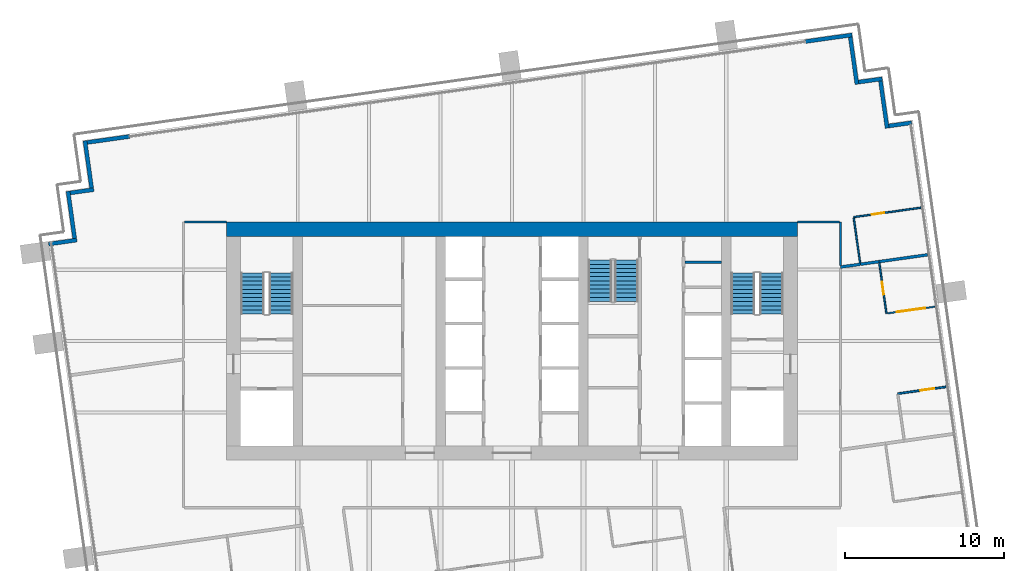
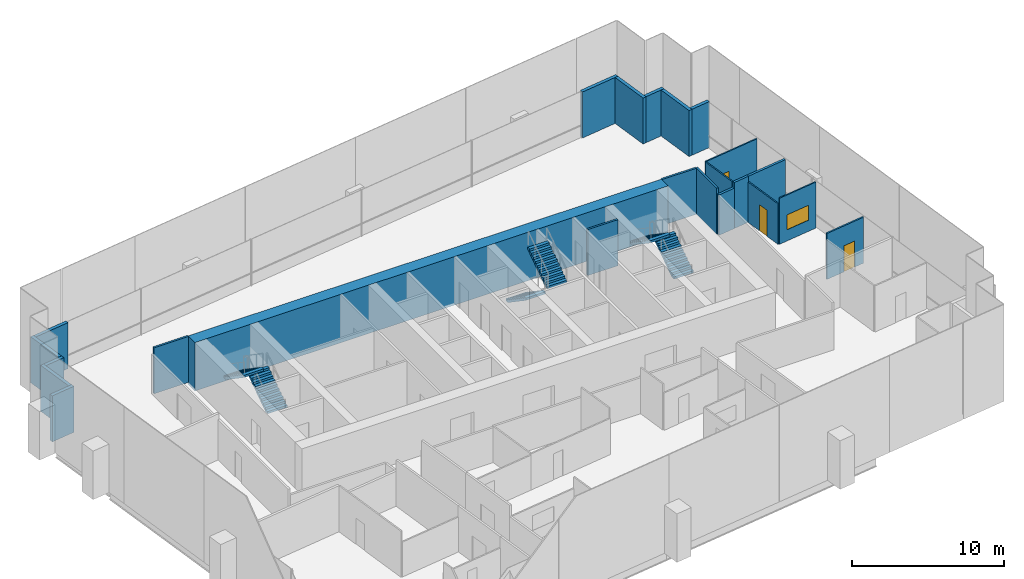
# One storey, part 12 of 17: 23 walls, 6 stair flights, 3 doors, 1 window, 4 openings, 3 elements without a shape of their own.
"""IFC4 building model written with IfcOpenShell, lengths in metres."""

from ifc_helpers import new_model, si_unit, direction, frame, frame_2d, origin, place, context, subcontext, project, spatial, polyline, rectangle, outline, extrude, material, layer, layer_set, type_object, element, fill, aggregate, save


model = new_model("IFC4")

# Units and contexts
model_context = context("Model", 3, precision=1e-05, world=origin(), true_north=direction((0.0, 1.0)))
body_context = subcontext(model_context, "Body", "Model", "MODEL_VIEW")
ifc_project = project(units=[si_unit("LENGTHUNIT", "METRE"), si_unit("AREAUNIT", "SQUARE_METRE"), si_unit("VOLUMEUNIT", "CUBIC_METRE"), si_unit("PLANEANGLEUNIT", "RADIAN"), si_unit("MASSUNIT", "GRAM", prefix="KILO")], contexts=[model_context])

# Site, building, storey
site_placement = place(None, origin())
site = spatial("IfcSite", under=ifc_project, at=site_placement, CompositionType="ELEMENT")
building_placement = place(site_placement, origin())
building = spatial("IfcBuilding", under=site, at=building_placement, Name="Rattan Terrace Tower", CompositionType="ELEMENT")
storey_placement = place(building_placement, frame((0.0, 0.0, 180.199951171875)))
storey = spatial("IfcBuildingStorey", under=building, at=storey_placement, Name="L41", CompositionType="ELEMENT", Elevation=180.199951171875)

# Walls
ifc_material_1 = material(Name="Gypsum board partition")
ifc_layer_1 = layer(ifc_material_1, 0.14990234375)
ifc_layer_set_1 = layer_set([ifc_layer_1], Name="Core partition 150")
wall_type_1 = type_object("IfcWallType", Name="Core partition 150", PredefinedType="PARTITIONING", material=ifc_layer_set_1)
wall_1_placement = place(storey_placement, frame((10.89990234375, 4.968017578125, 0.0), z_axis=(0.0, 0.0, 1.0), x_axis=(1.0, 0.0, 0.0)))
element("IfcWall", 1, at=wall_1_placement, inside=storey, type_object=wall_type_1, Name="Riser room wall", PredefinedType="PARTITIONING", context=body_context, shape_type="SweptSolid", body=[
    extrude(rectangle(XDim=2.300048828125, YDim=0.14990234375, at=frame_2d((1.14990234375, 0.0))), origin(), (0.0, 0.0, 1.0), 3.699951171875),
])
ifc_material_2 = material(Name="Concrete C60/75", Category="concrete")
ifc_layer_2 = layer(ifc_material_2, 0.89990234375)
ifc_layer_set_2 = layer_set([ifc_layer_2], Name="Core ring wall 900 C60/75")
wall_type_2 = type_object("IfcWallType", Name="Core ring wall 900 C60/75", PredefinedType="SHEAR", material=ifc_layer_set_2)
wall_2_placement = place(storey_placement, frame((-18.0, 7.050048828125, -0.199951171875), z_axis=(0.0, 0.0, 1.0), x_axis=(1.0, 0.0, 0.0)))
element("IfcWall", 2, at=wall_2_placement, inside=storey, type_object=wall_type_2, Name="Rear core wall north", PredefinedType="SHEAR", context=body_context, shape_type="SweptSolid", body=[
    extrude(rectangle(XDim=36.0, YDim=0.89990234375, at=frame_2d((18.0, 0.0))), origin(), (0.0, 0.0, 1.0), 3.89990234375),
])
ifc_material_3 = material(Name="Insulated aluminium-clad stud wall", Category="aluminium")
ifc_layer_3 = layer(ifc_material_3, 0.25)
ifc_layer_set_3 = layer_set([ifc_layer_3], Name="Facade Riser Wall 250")
wall_type_3 = type_object("IfcWallType", Name="Facade Riser Wall 250", PredefinedType="SOLIDWALL", material=ifc_layer_set_3)
wall_3_placement = place(storey_placement, frame((25.18359375, 13.758056640625, 0.0), z_axis=(0.0, 0.0, 1.0), x_axis=(-0.9902493448, -0.13930626376, 0.0)))
element("IfcWall", 3, at=wall_3_placement, inside=storey, type_object=wall_type_3, Name="Riser wall L41-6", PredefinedType="SOLIDWALL", context=body_context, shape_type="SweptSolid", body=[
    extrude(rectangle(XDim=1.45458984375, YDim=0.25, at=frame_2d((0.727294921875, 0.0))), origin(), (0.0, 0.0, 1.0), 3.699951171875),
])
wall_4_placement = place(storey_placement, frame((23.63671875, 13.414306640625, 0.0), z_axis=(0.0, 0.0, 1.0), x_axis=(-0.139313431826, 0.990248336385, 0.0)))
element("IfcWall", 4, at=wall_4_placement, inside=storey, type_object=wall_type_3, Name="Riser wall L41-7", PredefinedType="SOLIDWALL", context=body_context, shape_type="SweptSolid", body=[
    extrude(rectangle(XDim=3.000244140625, YDim=0.25, at=frame_2d((1.5, 0.0))), origin(), (0.0, 0.0, 1.0), 3.699951171875),
])
wall_5_placement = place(storey_placement, frame((23.3251953125, 16.5263671875, 0.0), z_axis=(0.0, 0.0, 1.0), x_axis=(-0.990243596651, -0.13934711799, 0.0)))
element("IfcWall", 5, at=wall_5_placement, inside=storey, type_object=wall_type_3, Name="Riser wall L41-8", PredefinedType="SOLIDWALL", context=body_context, shape_type="SweptSolid", body=[
    extrude(rectangle(XDim=1.499755859375, YDim=0.25, at=frame_2d((0.75, 0.0))), origin(), (0.0, 0.0, 1.0), 3.699951171875),
])
wall_6_placement = place(storey_placement, frame((21.733642578125, 16.17626953125, 0.0), z_axis=(0.0, 0.0, 1.0), x_axis=(-0.139313431826, 0.990248336385, 0.0)))
element("IfcWall", 6, at=wall_6_placement, inside=storey, type_object=wall_type_3, Name="Riser wall L41-9", PredefinedType="SOLIDWALL", context=body_context, shape_type="SweptSolid", body=[
    extrude(rectangle(XDim=3.000244140625, YDim=0.25, at=frame_2d((1.5, 0.0))), origin(), (0.0, 0.0, 1.0), 3.699951171875),
])
wall_7_placement = place(storey_placement, frame((21.422119140625, 19.288330078125, 0.0), z_axis=(0.0, 0.0, 1.0), x_axis=(-0.990246427036, -0.139327002919, 0.0)))
element("IfcWall", 7, at=wall_7_placement, inside=storey, type_object=wall_type_3, Name="Riser wall L41-10", PredefinedType="SOLIDWALL", context=body_context, shape_type="SweptSolid", body=[
    extrude(rectangle(XDim=2.954345703125, YDim=0.25, at=frame_2d((1.47705078125, 0.0))), origin(), (0.0, 0.0, 1.0), 3.699951171875),
])
wall_8_placement = place(storey_placement, frame((-24.08544921875, 12.892578125, 0.0), z_axis=(0.0, 0.0, 1.0), x_axis=(-0.990255800966, -0.139260362823, 0.0)))
element("IfcWall", 8, at=wall_8_placement, inside=storey, type_object=wall_type_3, Name="Riser wall L41-11", PredefinedType="SOLIDWALL", context=body_context, shape_type="SweptSolid", body=[
    extrude(rectangle(XDim=2.705078125, YDim=0.25, at=frame_2d((1.3525390625, 0.0))), origin(), (0.0, 0.0, 1.0), 3.699951171875),
])
wall_9_placement = place(storey_placement, frame((-26.9052734375, 12.6220703125, 0.0), z_axis=(0.0, 0.0, 1.0), x_axis=(0.139313431826, -0.990248336385, 0.0)))
element("IfcWall", 9, at=wall_9_placement, inside=storey, type_object=wall_type_3, Name="Riser wall L41-12", PredefinedType="SOLIDWALL", context=body_context, shape_type="SweptSolid", body=[
    extrude(rectangle(XDim=3.000244140625, YDim=0.25, at=frame_2d((1.5, 0.0))), origin(), (0.0, 0.0, 1.0), 3.699951171875),
])
wall_10_placement = place(storey_placement, frame((-26.34619140625, 9.54443359375, 0.0), z_axis=(0.0, 0.0, 1.0), x_axis=(-0.990368090482, -0.13845954411, 0.0)))
element("IfcWall", 10, at=wall_10_placement, inside=storey, type_object=wall_type_3, Name="Riser wall L41-13", PredefinedType="SOLIDWALL", context=body_context, shape_type="SweptSolid", body=[
    extrude(rectangle(XDim=1.50048828125, YDim=0.25, at=frame_2d((0.750244140625, 0.0))), origin(), (0.0, 0.0, 1.0), 3.699951171875),
])
wall_11_placement = place(storey_placement, frame((-27.973388671875, 9.443115234375, 0.0), z_axis=(0.0, 0.0, 1.0), x_axis=(0.139313431826, -0.990248336385, 0.0)))
element("IfcWall", 11, at=wall_11_placement, inside=storey, type_object=wall_type_3, Name="Riser wall L41-14", PredefinedType="SOLIDWALL", context=body_context, shape_type="SweptSolid", body=[
    extrude(rectangle(XDim=3.000244140625, YDim=0.25, at=frame_2d((1.5, 0.0))), origin(), (0.0, 0.0, 1.0), 3.699951171875),
])
wall_12_placement = place(storey_placement, frame((-27.414306640625, 6.36572265625, 0.0), z_axis=(0.0, 0.0, 1.0), x_axis=(-0.990256286673, -0.139256908998, 0.0)))
element("IfcWall", 12, at=wall_12_placement, inside=storey, type_object=wall_type_3, Name="Riser wall L41-15", PredefinedType="SOLIDWALL", context=body_context, shape_type="SweptSolid", body=[
    extrude(rectangle(XDim=1.800537109375, YDim=0.25, at=frame_2d((0.900390625, 0.0))), origin(), (0.0, 0.0, 1.0), 3.699951171875),
])
ifc_material_4 = material(Name="Double steel stud acoustic partition, gypsum board, mineral wool, fire rated", Category="steel")
ifc_layer_4 = layer(ifc_material_4, 0.179931640625)
ifc_layer_set_4 = layer_set([ifc_layer_4], Name="Floors Acoustic Party Wall 180")
wall_type_4 = type_object("IfcWallType", Name="Floors Acoustic Party Wall 180", PredefinedType="PARTITIONING", material=ifc_layer_set_4)
wall_13_placement = place(storey_placement, frame((20.699951171875, 4.6650390625, 0.0), z_axis=(0.0, 0.0, 1.0), x_axis=(0.99023431529, 0.139413058294, 0.0)))
element("IfcWall", 13, at=wall_13_placement, inside=storey, type_object=wall_type_4, Name="pt-L41-044", PredefinedType="PARTITIONING", context=body_context, shape_type="SweptSolid", body=[
    extrude(rectangle(XDim=1.276611328125, YDim=0.179931640625, at=frame_2d((0.63818359375, 0.0))), origin(), (0.0, 0.0, 1.0), 3.25),
])
wall_14_placement = place(storey_placement, frame((21.964111328125, 4.843017578125, 0.0), z_axis=(0.0, 0.0, 1.0), x_axis=(0.990277975586, 0.139102591888, 0.0)))
element("IfcWall", 14, at=wall_14_placement, inside=storey, type_object=wall_type_4, Name="pt-L41-045", PredefinedType="PARTITIONING", context=body_context, shape_type="SweptSolid", body=[
    extrude(rectangle(XDim=1.179443359375, YDim=0.179931640625, at=frame_2d((0.58984375, 0.0))), origin(), (0.0, 0.0, 1.0), 3.699951171875),
])
wall_15_placement = place(storey_placement, frame((23.132080078125, 5.007080078125, 0.0), z_axis=(0.0, 0.0, 1.0), x_axis=(0.990260846741, 0.139224478493, 0.0)))
element("IfcWall", 15, at=wall_15_placement, inside=storey, type_object=wall_type_4, Name="pt-L41-046", PredefinedType="PARTITIONING", context=body_context, shape_type="SweptSolid", body=[
    extrude(rectangle(XDim=3.0810546875, YDim=0.179931640625, at=frame_2d((1.54052734375, 0.0))), origin(), (0.0, 0.0, 1.0), 3.699951171875),
])

# Wall, opening, door
ifc_material_5 = material(Name="Gypsum board partition on steel studs", Category="steel")
ifc_layer_5 = layer(ifc_material_5, 0.10009765625)
ifc_layer_set_5 = layer_set([ifc_layer_5], Name="Floors Partition 100")
wall_type_5 = type_object("IfcWallType", Name="Floors Partition 100", PredefinedType="PARTITIONING", material=ifc_layer_set_5)
wall_16_placement = place(storey_placement, frame((23.14501953125, 4.91796875, 0.0), z_axis=(0.0, 0.0, 1.0), x_axis=(0.139249005145, -0.990257398138, 0.0)))
wall_16 = element("IfcWall", 16, at=wall_16_placement, inside=storey, type_object=wall_type_5, Name="pt-L41-042", PredefinedType="PARTITIONING", context=body_context, shape_type="SweptSolid", body=[
    extrude(rectangle(XDim=3.210205078125, YDim=0.10009765625, at=frame_2d((1.60498046875, 0.0))), origin(), (0.0, 0.0, 1.0), 3.25),
])
opening_1_placement = place(wall_16_placement, frame((1.205078125, 0.0, 0.0)))
opening_1 = element("IfcOpeningElement", 17, at=opening_1_placement, cuts=wall_16, Name="Opening L41-D109", PredefinedType="OPENING", context=body_context, shape_type="SweptSolid", body=[
    extrude(rectangle(XDim=0.800048828125, YDim=2.10009765625, at=frame_2d((0.39990234375, 1.050048828125))), frame((0.0, 0.060546875, 0.0), z_axis=(0.0, -1.0, 0.0), x_axis=(1.0, 0.0, 0.0)), (0.0, 0.0, 1.0), 0.12109375),
])
ifc_material_6 = material(Name="Solid core timber door, painted", Category="wood")
door_type_1 = type_object("IfcDoorType", Name="Floors Store Door 800x2100", OperationType="NOTDEFINED", PredefinedType="DOOR", material=ifc_material_6)
door_1_placement = place(opening_1_placement, origin())
door_1 = element("IfcDoor", 18, at=door_1_placement, inside=storey, type_object=door_type_1, Name="d-L41-109", OperationType="SINGLE_SWING_RIGHT", OverallHeight=2.10009765625, OverallWidth=0.800048828125, PredefinedType="DOOR", context=body_context, shape_type="SweptSolid", body=[
    extrude(rectangle(XDim=0.800048828125, YDim=2.10009765625, at=frame_2d((0.39990234375, 1.050048828125))), frame((0.0, 0.02490234375, 0.0), z_axis=(0.0, -1.0, 0.0), x_axis=(1.0, 0.0, 0.0)), (0.0, 0.0, 1.0), 0.050048828125),
])
fill(opening_1, door_1)

# Wall, opening, window
wall_17_placement = place(storey_placement, frame((23.64208984375, 1.74609375, 0.0), z_axis=(0.0, 0.0, 1.0), x_axis=(0.990294755806, 0.138983080349, 0.0)))
wall_17 = element("IfcWall", 19, at=wall_17_placement, inside=storey, type_object=wall_type_5, Name="pt-L41-043", PredefinedType="PARTITIONING", context=body_context, shape_type="SweptSolid", body=[
    extrude(rectangle(XDim=3.0283203125, YDim=0.10009765625, at=frame_2d((1.51416015625, 0.0))), origin(), (0.0, 0.0, 1.0), 3.699951171875),
])
opening_2_placement = place(wall_17_placement, frame((0.614990234375, 0.0, 0.89990234375)))
opening_2 = element("IfcOpeningElement", 20, at=opening_2_placement, cuts=wall_17, Name="Opening L41-W100", PredefinedType="OPENING", context=body_context, shape_type="SweptSolid", body=[
    extrude(rectangle(XDim=1.800048828125, YDim=1.199951171875, at=frame_2d((0.89990234375, 0.60009765625))), frame((0.0, 0.060546875, 0.0), z_axis=(0.0, -1.0, 0.0), x_axis=(1.0, 0.0, 0.0)), (0.0, 0.0, 1.0), 0.12109375),
])
ifc_material_7 = material(Name="Glass, clear, fixed in aluminium frame", Category="aluminium")
window_type = type_object("IfcWindowType", Name="Interior Vision Window 1800x1200", PartitioningType="SINGLE_PANEL", PredefinedType="WINDOW", material=ifc_material_7)
window_placement = place(opening_2_placement, origin())
window = element("IfcWindow", 21, at=window_placement, inside=storey, type_object=window_type, Name="w-L41-100", OverallHeight=1.199951171875, OverallWidth=1.800048828125, PartitioningType="SINGLE_PANEL", PredefinedType="WINDOW", context=body_context, shape_type="SweptSolid", body=[
    extrude(rectangle(XDim=1.800048828125, YDim=1.199951171875, at=frame_2d((0.89990234375, 0.60009765625))), frame((0.0, 0.030029296875, 0.0), z_axis=(0.0, -1.0, 0.0), x_axis=(1.0, 0.0, 0.0)), (0.0, 0.0, 1.0), 0.06005859375),
])
fill(opening_2, window)

# Wall
wall_18_placement = place(storey_placement, frame((21.532958984375, 7.760986328125, 0.0), z_axis=(0.0, 0.0, 1.0), x_axis=(0.139150189669, -0.990271288443, 0.0)))
element("IfcWall", 22, at=wall_18_placement, inside=storey, type_object=wall_type_5, Name="pt-L41-047", PredefinedType="PARTITIONING", context=body_context, shape_type="SweptSolid", body=[
    extrude(rectangle(XDim=2.85986328125, YDim=0.10009765625, at=frame_2d((1.429931640625, 0.0))), origin(), (0.0, 0.0, 1.0), 3.699951171875),
])

# Wall, opening, door
wall_19_placement = place(storey_placement, frame((25.763916015625, 8.406005859375, 0.0), z_axis=(0.0, 0.0, 1.0), x_axis=(-0.99028887957, -0.139024943805, 0.0)))
wall_19 = element("IfcWall", 23, at=wall_19_placement, inside=storey, type_object=wall_type_5, Name="pt-L41-048", PredefinedType="PARTITIONING", context=body_context, shape_type="SweptSolid", body=[
    extrude(rectangle(XDim=4.279541015625, YDim=0.10009765625, at=frame_2d((2.1396484375, 0.0))), origin(), (0.0, 0.0, 1.0), 3.699951171875),
])
opening_3_placement = place(wall_19_placement, frame((2.3359375, 0.0, 0.0)))
opening_3 = element("IfcOpeningElement", 24, at=opening_3_placement, cuts=wall_19, Name="Opening L41-D111", PredefinedType="OPENING", context=body_context, shape_type="SweptSolid", body=[
    extrude(rectangle(XDim=0.800048828125, YDim=2.10009765625, at=frame_2d((0.39990234375, 1.050048828125))), frame((0.0, 0.060546875, 0.0), z_axis=(0.0, -1.0, 0.0), x_axis=(1.0, 0.0, 0.0)), (0.0, 0.0, 1.0), 0.12109375),
])
door_2_placement = place(opening_3_placement, origin())
door_2 = element("IfcDoor", 25, at=door_2_placement, inside=storey, type_object=door_type_1, Name="d-L41-111", OperationType="SINGLE_SWING_RIGHT", OverallHeight=2.10009765625, OverallWidth=0.800048828125, PredefinedType="DOOR", context=body_context, shape_type="SweptSolid", body=[
    extrude(rectangle(XDim=0.800048828125, YDim=2.10009765625, at=frame_2d((0.39990234375, 1.050048828125))), frame((0.0, 0.02490234375, 0.0), z_axis=(0.0, -1.0, 0.0), x_axis=(1.0, 0.0, 0.0)), (0.0, 0.0, 1.0), 0.050048828125),
])
fill(opening_3, door_2)

# Walls
ifc_material_8 = material(Name="Gypsum board partition on steel studs, fire rated", Category="steel")
ifc_layer_6 = layer(ifc_material_8, 0.14990234375)
ifc_layer_set_6 = layer_set([ifc_layer_6], Name="Floors Tenancy Wall 150")
wall_type_6 = type_object("IfcWallType", Name="Floors Tenancy Wall 150", PredefinedType="PARTITIONING", material=ifc_layer_set_6)
wall_20_placement = place(storey_placement, frame((-20.625, 7.5009765625, 0.0), z_axis=(0.0, 0.0, 1.0), x_axis=(1.0, 0.0, 0.0)))
element("IfcWall", 26, at=wall_20_placement, inside=storey, type_object=wall_type_6, Name="pt-L41-012", PredefinedType="PARTITIONING", context=body_context, shape_type="SweptSolid", body=[
    extrude(rectangle(XDim=2.625, YDim=0.14990234375, at=frame_2d((1.3125, 0.0))), origin(), (0.0, 0.0, 1.0), 3.699951171875),
])
wall_21_placement = place(storey_placement, frame((18.0, 7.5009765625, 0.0), z_axis=(0.0, 0.0, 1.0), x_axis=(1.0, 0.0, 0.0)))
element("IfcWall", 27, at=wall_21_placement, inside=storey, type_object=wall_type_6, Name="pt-L41-013", PredefinedType="PARTITIONING", context=body_context, shape_type="SweptSolid", body=[
    extrude(rectangle(XDim=2.6240234375, YDim=0.14990234375, at=frame_2d((1.31201171875, 0.0))), origin(), (0.0, 0.0, 1.0), 3.699951171875),
])
wall_22_placement = place(storey_placement, frame((20.698974609375, 7.5, 0.0), z_axis=(0.0, 0.0, 1.0), x_axis=(0.0, -1.0, 0.0)))
element("IfcWall", 28, at=wall_22_placement, inside=storey, type_object=wall_type_6, Name="pt-L41-014", PredefinedType="PARTITIONING", context=body_context, shape_type="SweptSolid", body=[
    extrude(rectangle(XDim=2.73291015625, YDim=0.14990234375, at=frame_2d((1.366455078125, 0.0))), origin(), (0.0, 0.0, 1.0), 3.699951171875),
])

# Wall, opening, door
ifc_material_9 = material(Name="Moisture resistant gypsum board partition on steel studs with service cavity", Category="steel")
ifc_layer_7 = layer(ifc_material_9, 0.1201171875)
ifc_layer_set_7 = layer_set([ifc_layer_7], Name="Floors Wet Wall 120")
wall_type_7 = type_object("IfcWallType", Name="Floors Wet Wall 120", PredefinedType="PARTITIONING", material=ifc_layer_set_7)
wall_23_placement = place(storey_placement, frame((27.35205078125, -2.883056640625, 0.0), z_axis=(0.0, 0.0, 1.0), x_axis=(-0.990260846741, -0.139224478493, 0.0)))
wall_23 = element("IfcWall", 29, at=wall_23_placement, inside=storey, type_object=wall_type_7, Name="pt-L41-041", PredefinedType="PARTITIONING", context=body_context, shape_type="SweptSolid", body=[
    extrude(rectangle(XDim=3.0810546875, YDim=0.1201171875, at=frame_2d((1.54052734375, 0.0))), origin(), (0.0, 0.0, 1.0), 3.699951171875),
])
opening_4_placement = place(wall_23_placement, frame((0.75390625, 0.0, 0.0)))
opening_4 = element("IfcOpeningElement", 30, at=opening_4_placement, cuts=wall_23, Name="Opening L41-D108", PredefinedType="OPENING", context=body_context, shape_type="SweptSolid", body=[
    extrude(rectangle(XDim=0.89990234375, YDim=2.10009765625, at=frame_2d((0.449951171875, 1.050048828125))), frame((0.0, 0.070556640625, 0.0), z_axis=(0.0, -1.0, 0.0), x_axis=(1.0, 0.0, 0.0)), (0.0, 0.0, 1.0), 0.14111328125),
])
ifc_material_10 = material(Name="Solid core timber door, painted", Category="wood")
door_type_2 = type_object("IfcDoorType", Name="Floors Door 900x2100", OperationType="NOTDEFINED", PredefinedType="DOOR", material=ifc_material_10)
door_3_placement = place(opening_4_placement, origin())
door_3 = element("IfcDoor", 31, at=door_3_placement, inside=storey, type_object=door_type_2, Name="d-L41-108", OperationType="SINGLE_SWING_LEFT", OverallHeight=2.10009765625, OverallWidth=0.89990234375, PredefinedType="DOOR", context=body_context, shape_type="SweptSolid", body=[
    extrude(rectangle(XDim=0.89990234375, YDim=2.10009765625, at=frame_2d((0.449951171875, 1.050048828125))), frame((0.0, 0.02490234375, 0.0), z_axis=(0.0, -1.0, 0.0), x_axis=(1.0, 0.0, 0.0)), (0.0, 0.0, 1.0), 0.050048828125),
])
fill(opening_4, door_3)

# Stair, stair flights
ifc_material_11 = material(Name="Concrete C40/50", Category="concrete")
stair_type = type_object("IfcStairType", Name="Core exit stair 1500", PredefinedType="HALF_TURN_STAIR", material=ifc_material_11)
stair_1_placement = place(storey_placement, origin())
stair_1 = element("IfcStair", 32, at=stair_1_placement, inside=storey, type_object=stair_type, Name="L41 exit stair 1", PredefinedType="HALF_TURN_STAIR")
ifc_material_12 = material(Name="Concrete C40/50", Category="concrete")
stair_flight_type = type_object("IfcStairFlightType", Name="Core exit stair flight 1500", PredefinedType="STRAIGHT", material=ifc_material_12)
stair_flight_1_placement = place(storey_placement, frame((-14.550048828125, 1.699951171875, 0.0), z_axis=(0.0, 0.0, 1.0), x_axis=(0.0, 1.0, 0.0)))
stair_flight_1 = element("IfcStairFlight", 33, at=stair_flight_1_placement, type_object=stair_flight_type, Name="S1 flight 1", NumberOfRisers=11, NumberOfTreads=10, PredefinedType="STRAIGHT", RiserHeight=0.177272727, TreadLength=0.26, context=body_context, shape_type="SweptSolid", body=[
    extrude(outline(polyline([(0.0, 0.0), (0.0, 0.17724609375), (0.260009765625, 0.17724609375), (0.260009765625, 0.3544921875), (0.52001953125, 0.3544921875), (0.52001953125, 0.53173828125), (0.780029296875, 0.53173828125), (0.780029296875, 0.708984375), (1.0400390625, 0.708984375), (1.0400390625, 0.886474609375), (1.300048828125, 0.886474609375), (1.300048828125, 1.063720703125), (1.56005859375, 1.063720703125), (1.56005859375, 1.240966796875), (1.820068359375, 1.240966796875), (1.820068359375, 1.418212890625), (2.080078125, 1.418212890625), (2.080078125, 1.595458984375), (2.340087890625, 1.595458984375), (2.340087890625, 1.772705078125), (2.60009765625, 1.772705078125), (2.60009765625, 1.949951171875), (2.60009765625, 1.59130859375), (0.26611328125, 0.0), (0.0, 0.0)])), frame((0.0, 0.75, 0.0), z_axis=(0.0, -1.0, 0.0), x_axis=(1.0, 0.0, 0.0)), (0.0, 0.0, 1.0), 1.5),
])
stair_flight_2_placement = place(storey_placement, frame((-16.35009765625, 4.300048828125, 1.949951171875), z_axis=(0.0, 0.0, 1.0), x_axis=(0.0, -1.0, 0.0)))
stair_flight_2 = element("IfcStairFlight", 34, at=stair_flight_2_placement, type_object=stair_flight_type, Name="S1 flight 2", NumberOfRisers=11, NumberOfTreads=10, PredefinedType="STRAIGHT", RiserHeight=0.177272727, TreadLength=0.26, context=body_context, shape_type="SweptSolid", body=[
    extrude(outline(polyline([(0.0, 0.0), (0.0, 0.17724609375), (0.260009765625, 0.17724609375), (0.260009765625, 0.3544921875), (0.52001953125, 0.3544921875), (0.52001953125, 0.53173828125), (0.780029296875, 0.53173828125), (0.780029296875, 0.708984375), (1.0400390625, 0.708984375), (1.0400390625, 0.886474609375), (1.300048828125, 0.886474609375), (1.300048828125, 1.063720703125), (1.56005859375, 1.063720703125), (1.56005859375, 1.240966796875), (1.820068359375, 1.240966796875), (1.820068359375, 1.418212890625), (2.080078125, 1.418212890625), (2.080078125, 1.595458984375), (2.340087890625, 1.595458984375), (2.340087890625, 1.772705078125), (2.60009765625, 1.772705078125), (2.60009765625, 1.949951171875), (2.60009765625, 1.59130859375), (0.26611328125, 0.0), (0.0, 0.0)])), frame((0.0, 0.75, 0.0), z_axis=(0.0, -1.0, 0.0), x_axis=(1.0, 0.0, 0.0)), (0.0, 0.0, 1.0), 1.5),
])
aggregate(stair_1, [stair_flight_1, stair_flight_2])

stair_2_placement = place(storey_placement, origin())
stair_2 = element("IfcStair", 35, at=stair_2_placement, inside=storey, type_object=stair_type, Name="L41 exit stair 2", PredefinedType="HALF_TURN_STAIR")
stair_flight_3_placement = place(storey_placement, frame((16.35009765625, 1.699951171875, 0.0), z_axis=(0.0, 0.0, 1.0), x_axis=(0.0, 1.0, 0.0)))
stair_flight_3 = element("IfcStairFlight", 36, at=stair_flight_3_placement, type_object=stair_flight_type, Name="S2 flight 1", NumberOfRisers=11, NumberOfTreads=10, PredefinedType="STRAIGHT", RiserHeight=0.177272727, TreadLength=0.26, context=body_context, shape_type="SweptSolid", body=[
    extrude(outline(polyline([(0.0, 0.0), (0.0, 0.17724609375), (0.260009765625, 0.17724609375), (0.260009765625, 0.3544921875), (0.52001953125, 0.3544921875), (0.52001953125, 0.53173828125), (0.780029296875, 0.53173828125), (0.780029296875, 0.708984375), (1.0400390625, 0.708984375), (1.0400390625, 0.886474609375), (1.300048828125, 0.886474609375), (1.300048828125, 1.063720703125), (1.56005859375, 1.063720703125), (1.56005859375, 1.240966796875), (1.820068359375, 1.240966796875), (1.820068359375, 1.418212890625), (2.080078125, 1.418212890625), (2.080078125, 1.595458984375), (2.340087890625, 1.595458984375), (2.340087890625, 1.772705078125), (2.60009765625, 1.772705078125), (2.60009765625, 1.949951171875), (2.60009765625, 1.59130859375), (0.26611328125, 0.0), (0.0, 0.0)])), frame((0.0, 0.75, 0.0), z_axis=(0.0, -1.0, 0.0), x_axis=(1.0, 0.0, 0.0)), (0.0, 0.0, 1.0), 1.5),
])
stair_flight_4_placement = place(storey_placement, frame((14.550048828125, 4.300048828125, 1.949951171875), z_axis=(0.0, 0.0, 1.0), x_axis=(0.0, -1.0, 0.0)))
stair_flight_4 = element("IfcStairFlight", 37, at=stair_flight_4_placement, type_object=stair_flight_type, Name="S2 flight 2", NumberOfRisers=11, NumberOfTreads=10, PredefinedType="STRAIGHT", RiserHeight=0.177272727, TreadLength=0.26, context=body_context, shape_type="SweptSolid", body=[
    extrude(outline(polyline([(0.0, 0.0), (0.0, 0.17724609375), (0.260009765625, 0.17724609375), (0.260009765625, 0.3544921875), (0.52001953125, 0.3544921875), (0.52001953125, 0.53173828125), (0.780029296875, 0.53173828125), (0.780029296875, 0.708984375), (1.0400390625, 0.708984375), (1.0400390625, 0.886474609375), (1.300048828125, 0.886474609375), (1.300048828125, 1.063720703125), (1.56005859375, 1.063720703125), (1.56005859375, 1.240966796875), (1.820068359375, 1.240966796875), (1.820068359375, 1.418212890625), (2.080078125, 1.418212890625), (2.080078125, 1.595458984375), (2.340087890625, 1.595458984375), (2.340087890625, 1.772705078125), (2.60009765625, 1.772705078125), (2.60009765625, 1.949951171875), (2.60009765625, 1.59130859375), (0.26611328125, 0.0), (0.0, 0.0)])), frame((0.0, 0.75, 0.0), z_axis=(0.0, -1.0, 0.0), x_axis=(1.0, 0.0, 0.0)), (0.0, 0.0, 1.0), 1.5),
])
aggregate(stair_2, [stair_flight_3, stair_flight_4])

stair_3_placement = place(storey_placement, origin())
stair_3 = element("IfcStair", 38, at=stair_3_placement, inside=storey, type_object=stair_type, Name="L41 exit stair 3", PredefinedType="HALF_TURN_STAIR")
stair_flight_5_placement = place(storey_placement, frame((5.550048828125, 5.10009765625, 0.0), z_axis=(0.0, 0.0, 1.0), x_axis=(0.0, -1.0, 0.0)))
stair_flight_5 = element("IfcStairFlight", 39, at=stair_flight_5_placement, type_object=stair_flight_type, Name="S3 flight 1", NumberOfRisers=11, NumberOfTreads=10, PredefinedType="STRAIGHT", RiserHeight=0.177272727, TreadLength=0.26, context=body_context, shape_type="SweptSolid", body=[
    extrude(outline(polyline([(0.0, 0.0), (0.0, 0.17724609375), (0.260009765625, 0.17724609375), (0.260009765625, 0.3544921875), (0.52001953125, 0.3544921875), (0.52001953125, 0.53173828125), (0.780029296875, 0.53173828125), (0.780029296875, 0.708984375), (1.0400390625, 0.708984375), (1.0400390625, 0.886474609375), (1.300048828125, 0.886474609375), (1.300048828125, 1.063720703125), (1.56005859375, 1.063720703125), (1.56005859375, 1.240966796875), (1.820068359375, 1.240966796875), (1.820068359375, 1.418212890625), (2.080078125, 1.418212890625), (2.080078125, 1.595458984375), (2.340087890625, 1.595458984375), (2.340087890625, 1.772705078125), (2.60009765625, 1.772705078125), (2.60009765625, 1.949951171875), (2.60009765625, 1.59130859375), (0.26611328125, 0.0), (0.0, 0.0)])), frame((0.0, 0.75, 0.0), z_axis=(0.0, -1.0, 0.0), x_axis=(1.0, 0.0, 0.0)), (0.0, 0.0, 1.0), 1.5),
])
stair_flight_6_placement = place(storey_placement, frame((7.199951171875, 2.5, 1.949951171875), z_axis=(0.0, 0.0, 1.0), x_axis=(0.0, 1.0, 0.0)))
stair_flight_6 = element("IfcStairFlight", 40, at=stair_flight_6_placement, type_object=stair_flight_type, Name="S3 flight 2", NumberOfRisers=11, NumberOfTreads=10, PredefinedType="STRAIGHT", RiserHeight=0.177272727, TreadLength=0.26, context=body_context, shape_type="SweptSolid", body=[
    extrude(outline(polyline([(0.0, 0.0), (0.0, 0.17724609375), (0.260009765625, 0.17724609375), (0.260009765625, 0.3544921875), (0.52001953125, 0.3544921875), (0.52001953125, 0.53173828125), (0.780029296875, 0.53173828125), (0.780029296875, 0.708984375), (1.0400390625, 0.708984375), (1.0400390625, 0.886474609375), (1.300048828125, 0.886474609375), (1.300048828125, 1.063720703125), (1.56005859375, 1.063720703125), (1.56005859375, 1.240966796875), (1.820068359375, 1.240966796875), (1.820068359375, 1.418212890625), (2.080078125, 1.418212890625), (2.080078125, 1.595458984375), (2.340087890625, 1.595458984375), (2.340087890625, 1.772705078125), (2.60009765625, 1.772705078125), (2.60009765625, 1.949951171875), (2.60009765625, 1.59130859375), (0.26611328125, 0.0), (0.0, 0.0)])), frame((0.0, 0.75, 0.0), z_axis=(0.0, -1.0, 0.0), x_axis=(1.0, 0.0, 0.0)), (0.0, 0.0, 1.0), 1.5),
])
aggregate(stair_3, [stair_flight_5, stair_flight_6])

save(model, "model.ifc")
